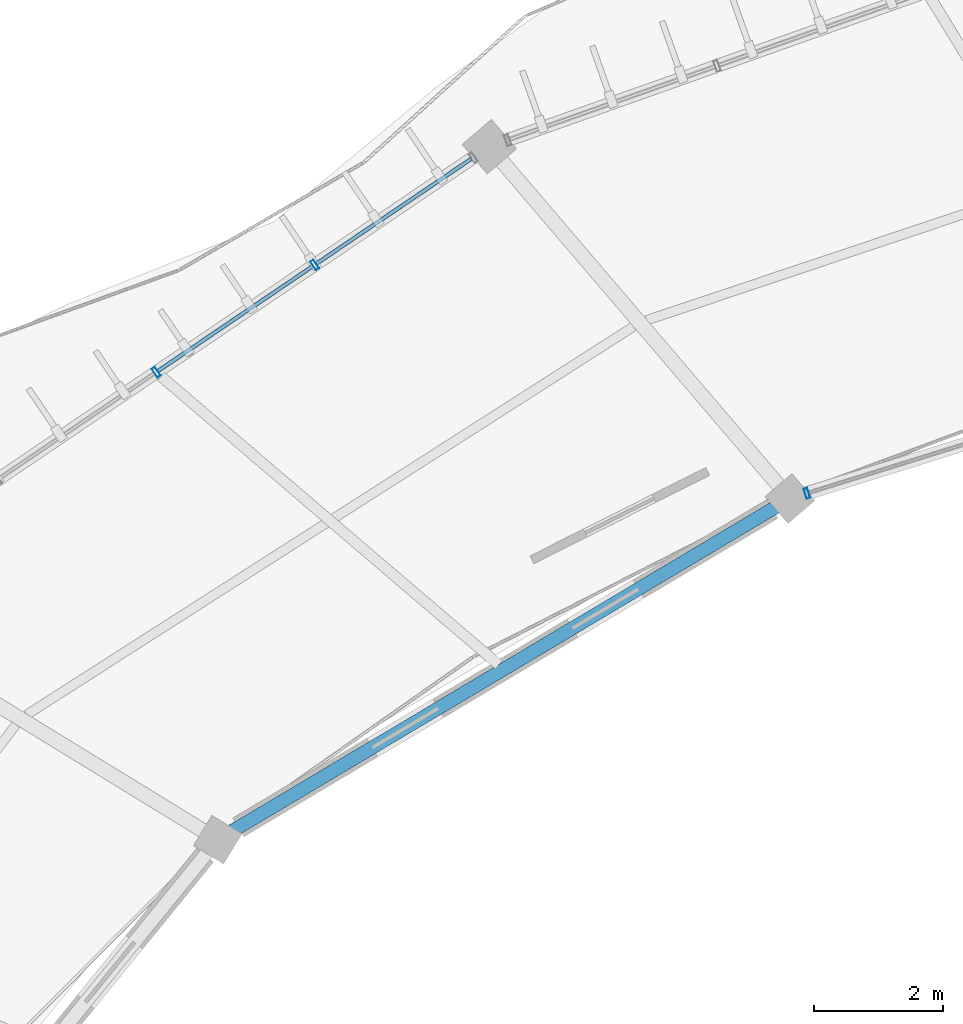
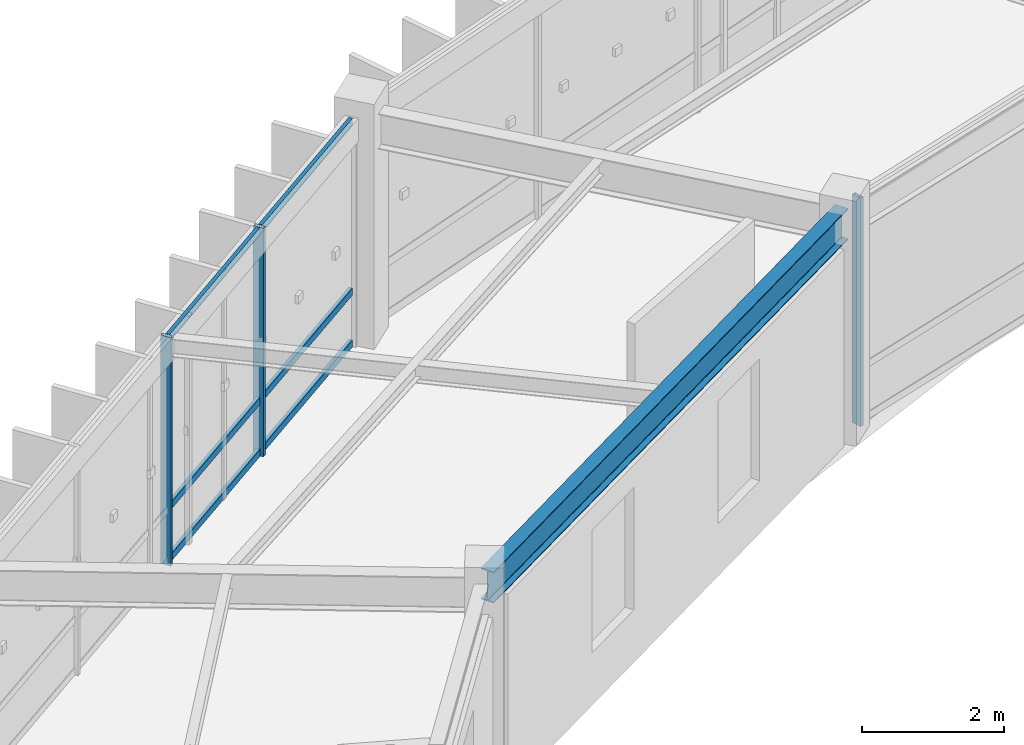
# One storey, part 23 of 83: 9 members, 1 beam, 2 elements without a shape of their own.
"""IFC4 building model written with IfcOpenShell, lengths in metres."""

import ifcopenshell
import ifcopenshell.guid

model = None  # the IFC model being written
_history = None  # IfcOwnerHistory: only IFC2X3 demands one
_inside = {}  # id of a spatial element -> (the spatial element, [elements in it])
_under = {}  # id of a project, library or spatial element -> (it, [spatial elements below it])
_declared = {}  # id of a project -> (the project, [libraries it declares])
_typed = {}  # id of a type object -> (the type object, [elements of that type])
_made_of = {}  # id of a material, layer set ... -> (it, [elements and type objects made of it])


def new_model(schema):
    """Start an empty IFC model of exactly this schema.

    Asked for "IFC4X3", IfcOpenShell would pick the latest addendum, in which some entities
    have other attributes; the version numbers below select the first issue.
    IFC2X3 requires an IfcOwnerHistory on every rooted entity: one is made here for all.
    """
    global model, _history
    if schema == "IFC4X3":
        model = ifcopenshell.file(schema_version=(4, 3, 0, 0))
    else:
        model = ifcopenshell.file(schema=schema)
    _inside.clear()
    _under.clear()
    _declared.clear()
    _typed.clear()
    _made_of.clear()
    _history = None
    if model.schema == "IFC2X3":
        org = make("IfcOrganization", Name="unknown")
        user = make(
            "IfcPersonAndOrganization",
            ThePerson=make("IfcPerson", FamilyName="unknown"),
            TheOrganization=org,
        )
        app = make(
            "IfcApplication",
            ApplicationDeveloper=org,
            Version="unknown",
            ApplicationFullName="unknown",
            ApplicationIdentifier="unknown",
        )
        _history = make(
            "IfcOwnerHistory",
            OwningUser=user,
            OwningApplication=app,
            ChangeAction="ADDED",
            CreationDate=0,
        )
    return model


def make(cls, **values):
    """One entity of the class cls with the attributes given. An attribute that is None is left unset."""
    return model.create_entity(
        cls, **{name: value for name, value in values.items() if value is not None}
    )


def rooted(cls, **values):
    """An entity with a GlobalId (a new one), such as an element, a storey or a relation."""
    return make(cls, GlobalId=ifcopenshell.guid.new(), OwnerHistory=_history, **values)


def si_unit(unit_type, name, prefix=None):
    """IfcSIUnit, for example si_unit("LENGTHUNIT", "METRE", prefix="MILLI")."""
    return make("IfcSIUnit", UnitType=unit_type, Prefix=prefix, Name=name)


def assignment(units):
    """IfcUnitAssignment: the units of a project."""
    return None if units is None else make("IfcUnitAssignment", Units=units)


def point(xyz):
    """IfcCartesianPoint."""
    return None if xyz is None else make("IfcCartesianPoint", Coordinates=xyz)


def direction(xyz):
    """IfcDirection."""
    return None if xyz is None else make("IfcDirection", DirectionRatios=xyz)


def frame(location, z_axis=None, x_axis=None):
    """IfcAxis2Placement3D, a coordinate frame: its origin and axes. An axis left out is left unset."""
    return make(
        "IfcAxis2Placement3D",
        Location=point(location),
        Axis=direction(z_axis),
        RefDirection=direction(x_axis),
    )


def frame_2d(location, x_axis=None):
    """IfcAxis2Placement2D, a coordinate frame in the plane: its origin and x axis."""
    return make(
        "IfcAxis2Placement2D", Location=point(location), RefDirection=direction(x_axis)
    )


def origin():
    """The frame at (0, 0, 0) with its axes left unset."""
    return frame((0.0, 0.0, 0.0))


def origin_2d():
    """The frame at (0, 0) in the plane with its x axis left unset."""
    return frame_2d((0.0, 0.0))


def place(relative_to, where):
    """IfcLocalPlacement: puts the frame where relative to a parent placement (None: the world)."""
    return make(
        "IfcLocalPlacement", PlacementRelTo=relative_to, RelativePlacement=where
    )


def context(
    kind, dimensions, precision=None, world=None, true_north=None, identifier=None
):
    """IfcGeometricRepresentationContext, for example the 3D "Model" context."""
    return make(
        "IfcGeometricRepresentationContext",
        ContextIdentifier=identifier,
        ContextType=kind,
        CoordinateSpaceDimension=dimensions,
        Precision=precision,
        WorldCoordinateSystem=world,
        TrueNorth=true_north,
    )


def subcontext(parent, identifier, kind, view, scale=None):
    """IfcGeometricRepresentationSubContext, for example "Body" below "Model"."""
    return make(
        "IfcGeometricRepresentationSubContext",
        ContextIdentifier=identifier,
        ContextType=kind,
        ParentContext=parent,
        TargetScale=scale,
        TargetView=view,
    )


def project(units=None, contexts=None):
    """IfcProject with its units and contexts."""
    return rooted(
        "IfcProject",
        Name="project",
        RepresentationContexts=contexts,
        UnitsInContext=assignment(units),
    )


def spatial(cls, under=None, at=None, **own):
    """A site, building, storey or space (cls), placed at a placement, below another one or the project."""
    s = rooted(cls, ObjectPlacement=at, **own)
    if under is not None:
        _under.setdefault(under.id(), (under, []))[1].append(s)
    return s


def profile(cls, at=None, kind="AREA", **sizes):
    """A parametric profile (cls). Its sizes go by their IFC names, for example OverallWidth=200.0."""
    return make(cls, ProfileType=kind, Position=at, **sizes)


def hollow_rectangle(**sizes):
    """IfcRectangleHollowProfileDef."""
    return profile("IfcRectangleHollowProfileDef", **sizes)


def i_section(**sizes):
    """IfcIShapeProfileDef."""
    return profile("IfcIShapeProfileDef", **sizes)


def extrude(swept, where, along, depth):
    """IfcExtrudedAreaSolid: the profile swept, set in the frame where, extruded along a direction by depth."""
    return make(
        "IfcExtrudedAreaSolid",
        SweptArea=swept,
        Position=where,
        ExtrudedDirection=direction(along),
        Depth=depth,
    )


def shape(context_of_items, identifier, shape_type, items):
    """IfcShapeRepresentation: the items that make up one representation, for example the "Body"."""
    return make(
        "IfcShapeRepresentation",
        ContextOfItems=context_of_items,
        RepresentationIdentifier=identifier,
        RepresentationType=shape_type,
        Items=items,
    )


def material(Name=None, Category=None):
    """IfcMaterial."""
    return make("IfcMaterial", Name=Name, Category=Category)


def material_profile(
    of_material, cross_section, Name=None, Category=None, Priority=None
):
    """IfcMaterialProfile: a cross section and its material."""
    return make(
        "IfcMaterialProfile",
        Name=Name,
        Material=of_material,
        Profile=cross_section,
        Priority=Priority,
        Category=Category,
    )


def profile_set(profiles, Name=None, composite=None):
    """IfcMaterialProfileSet."""
    return make(
        "IfcMaterialProfileSet",
        Name=Name,
        MaterialProfiles=profiles,
        CompositeProfile=composite,
    )


def made_of(thing, what):
    """Note that an element or type object is made of a material, layer set ...; save() writes the relation."""
    if what is not None:
        _made_of.setdefault(what.id(), (what, []))[1].append(thing)
    return thing


def type_object(cls, material=None, **own):
    """A type object (cls), such as IfcWallType, which elements share."""
    return made_of(rooted(cls, **own), material)


def element(
    cls,
    number,
    at=None,
    inside=None,
    cuts=None,
    type_object=None,
    material=None,
    context=None,
    identifier="Body",
    shape_type=None,
    held_by="IfcProductDefinitionShape",
    body=None,
    shapes=None,
    **own,
):
    """One element of the class cls, such as IfcWall. Its Tag is "e" and its number.

    at: its placement. inside: the storey or other place that contains it. cuts: it is an
    opening in that element (IfcRelVoidsElement). A single representation is given by context,
    identifier, shape_type and body (its items); several are given by shapes. held_by: the class
    of the entity that holds the representations. save() writes the other relations.
    """
    e = rooted(cls, Tag="e%d" % number, ObjectPlacement=at, **own)
    if body is not None:
        shapes = [shape(context, identifier, shape_type, body)]
    if shapes is not None:
        e.Representation = make(held_by, Representations=shapes)
    if inside is not None:
        _inside.setdefault(inside.id(), (inside, []))[1].append(e)
    if cuts is not None:
        rooted(
            "IfcRelVoidsElement", RelatingBuildingElement=cuts, RelatedOpeningElement=e
        )
    if type_object is not None:
        _typed.setdefault(type_object.id(), (type_object, []))[1].append(e)
    return made_of(e, material)


def aggregate(whole, parts):
    """IfcRelAggregates: a whole, such as a stair, and the parts it consists of."""
    return rooted("IfcRelAggregates", RelatingObject=whole, RelatedObjects=parts)


def save(model, path):
    """Write the relations noted so far, then the file.

    IfcRelAggregates (storeys below a building ...), IfcRelContainedInSpatialStructure (elements
    in a storey), IfcRelDefinesByType, IfcRelAssociatesMaterial and IfcRelDeclares: one each for
    every whole, place, type object, material and project.
    """
    for whole, parts in _under.values():
        aggregate(whole, parts)
    for where, things in _inside.values():
        rooted(
            "IfcRelContainedInSpatialStructure",
            RelatedElements=things,
            RelatingStructure=where,
        )
    for kind, things in _typed.values():
        rooted("IfcRelDefinesByType", RelatedObjects=things, RelatingType=kind)
    for what, things in _made_of.values():
        rooted("IfcRelAssociatesMaterial", RelatedObjects=things, RelatingMaterial=what)
    for by, libraries in _declared.values():
        rooted("IfcRelDeclares", RelatingContext=by, RelatedDefinitions=libraries)
    model.write(path)


model = new_model("IFC4")

# Units and contexts
model_context = context("Model", 3, precision=1e-05, world=origin(), true_north=direction((0.0, 1.0)))
body_context = subcontext(model_context, "Body", "Model", "MODEL_VIEW")
ifc_project = project(units=[si_unit("LENGTHUNIT", "METRE"), si_unit("AREAUNIT", "SQUARE_METRE"), si_unit("VOLUMEUNIT", "CUBIC_METRE"), si_unit("PLANEANGLEUNIT", "RADIAN"), si_unit("MASSUNIT", "GRAM", prefix="KILO"), si_unit("THERMODYNAMICTEMPERATUREUNIT", "KELVIN"), si_unit("POWERUNIT", "WATT")], contexts=[model_context])

# Site, building, storey
site_placement = place(None, origin())
site = spatial("IfcSite", under=ifc_project, at=site_placement, CompositionType="ELEMENT")
building_placement = place(site_placement, origin())
building = spatial("IfcBuilding", under=site, at=building_placement, Name="Darbajah Civic Hall", CompositionType="ELEMENT")
storey_placement = place(building_placement, frame((0.0, 0.0, 18.0)))
storey = spatial("IfcBuildingStorey", under=building, at=storey_placement, Name="L04", CompositionType="ELEMENT", Elevation=18.0)

# Curtain wall, member
ifc_material_1 = material(Name="Anodised Bronze Aluminium and Low-E Glazing", Category="aluminium")
curtain_wall_type_1 = type_object("IfcCurtainWallType", Name="Unitised Curtain Wall CW-67 11700x3900", PredefinedType="USERDEFINED", material=ifc_material_1)
curtain_wall_1_placement = place(storey_placement, origin())
curtain_wall_1 = element("IfcCurtainWall", 1, at=curtain_wall_1_placement, inside=storey, type_object=curtain_wall_type_1, Name="L04 unitised curtain wall CW-V1I-L04-06", ObjectType="UNITISED CURTAIN WALL", PredefinedType="USERDEFINED")
ifc_material_2 = material(Name="Anodised Bronze Aluminium", Category="aluminium")
ifc_material_profile_1 = material_profile(ifc_material_2, hollow_rectangle(XDim=0.06005859375, YDim=0.159912109375, WallThickness=0.00341796875, at=origin_2d()), Name="ALU MULLION 60x160")
ifc_profile_set_1 = profile_set([ifc_material_profile_1], Name="Anodised Bronze Aluminium")
member_type_1 = type_object("IfcMemberType", Name="ALU MULLION 60x160", PredefinedType="MULLION", material=ifc_profile_set_1)
member_1_placement = place(storey_placement, frame((60.918701171875, 106.839599609375, 0.0), z_axis=(0.0, 0.0, 1.0), x_axis=(-0.954604963513, -0.297874744877, 0.0)))
member_1 = element("IfcMember", 2, at=member_1_placement, type_object=member_type_1, Name="CW-V1I-L04-06 mullion 4", PredefinedType="MULLION", context=body_context, shape_type="SweptSolid", body=[
    extrude(hollow_rectangle(XDim=0.06005859375, YDim=0.159912109375, WallThickness=0.00341796875, at=origin_2d()), origin(), (0.0, 0.0, 1.0), 3.919921875),
])
aggregate(curtain_wall_1, [member_1])

# Curtain wall, members
curtain_wall_type_2 = type_object("IfcCurtainWallType", Name="Unitised Curtain Wall CW-58 11900x3900", PredefinedType="USERDEFINED", material=ifc_material_1)
curtain_wall_2_placement = place(storey_placement, origin())
curtain_wall_2 = element("IfcCurtainWall", 3, at=curtain_wall_2_placement, inside=storey, type_object=curtain_wall_type_2, Name="L04 unitised curtain wall CW-V1O-L04-07", ObjectType="UNITISED CURTAIN WALL", PredefinedType="USERDEFINED")
member_2_placement = place(storey_placement, frame((53.262451171875, 110.392822265625, 0.0), z_axis=(0.0, 0.0, 1.0), x_axis=(-0.827962472047, -0.560783509816, 0.0)))
member_2 = element("IfcMember", 4, at=member_2_placement, type_object=member_type_1, Name="CW-V1O-L04-07 mullion 2", PredefinedType="MULLION", context=body_context, shape_type="SweptSolid", body=[
    extrude(hollow_rectangle(XDim=0.06005859375, YDim=0.159912109375, WallThickness=0.00341796875, at=origin_2d()), origin(), (0.0, 0.0, 1.0), 3.919921875),
])
member_3_placement = place(storey_placement, frame((50.796875, 108.722900390625, 0.0), z_axis=(0.0, 0.0, 1.0), x_axis=(-0.827962472047, -0.560783509816, 0.0)))
member_3 = element("IfcMember", 5, at=member_3_placement, type_object=member_type_1, Name="CW-V1O-L04-07 mullion 3", PredefinedType="MULLION", context=body_context, shape_type="SweptSolid", body=[
    extrude(hollow_rectangle(XDim=0.06005859375, YDim=0.159912109375, WallThickness=0.00341796875, at=origin_2d()), origin(), (0.0, 0.0, 1.0), 3.919921875),
])
ifc_material_profile_2 = material_profile(ifc_material_2, hollow_rectangle(XDim=0.06005859375, YDim=0.1201171875, WallThickness=0.003173828125, at=origin_2d()), Name="ALU TRANSOM 60x120")
ifc_profile_set_2 = profile_set([ifc_material_profile_2], Name="Anodised Bronze Aluminium")
member_type_2 = type_object("IfcMemberType", Name="ALU TRANSOM 60x120", PredefinedType="USERDEFINED", material=ifc_profile_set_2)
member_4_placement = place(storey_placement, frame((55.69921875, 112.043212890625, 0.06005859375), z_axis=(-0.827946354512, -0.560807305632, 0.0), x_axis=(0.560807305632, -0.827946354512, 0.0)))
member_4 = element("IfcMember", 6, at=member_4_placement, type_object=member_type_2, Name="CW-V1O-L04-07 transom 1.1", ObjectType="TRANSOM", PredefinedType="USERDEFINED", context=body_context, shape_type="SweptSolid", body=[
    extrude(hollow_rectangle(XDim=0.06005859375, YDim=0.1201171875, WallThickness=0.003173828125, at=origin_2d()), origin(), (0.0, 0.0, 1.0), 2.907958984375),
])
member_5_placement = place(storey_placement, frame((55.69921875, 112.043212890625, 0.949951171875), z_axis=(-0.827946354512, -0.560807305632, 0.0), x_axis=(0.560807305632, -0.827946354512, 0.0)))
member_5 = element("IfcMember", 7, at=member_5_placement, type_object=member_type_2, Name="CW-V1O-L04-07 transom 1.2", ObjectType="TRANSOM", PredefinedType="USERDEFINED", context=body_context, shape_type="SweptSolid", body=[
    extrude(hollow_rectangle(XDim=0.06005859375, YDim=0.1201171875, WallThickness=0.003173828125, at=origin_2d()), origin(), (0.0, 0.0, 1.0), 2.907958984375),
])
member_6_placement = place(storey_placement, frame((55.69921875, 112.043212890625, 3.860107421875), z_axis=(-0.827946354512, -0.560807305632, 0.0), x_axis=(0.560807305632, -0.827946354512, 0.0)))
member_6 = element("IfcMember", 8, at=member_6_placement, type_object=member_type_2, Name="CW-V1O-L04-07 transom 1.3", ObjectType="TRANSOM", PredefinedType="USERDEFINED", context=body_context, shape_type="SweptSolid", body=[
    extrude(hollow_rectangle(XDim=0.06005859375, YDim=0.1201171875, WallThickness=0.003173828125, at=origin_2d()), origin(), (0.0, 0.0, 1.0), 2.907958984375),
])
member_7_placement = place(storey_placement, frame((53.2333984375, 110.373046875, 0.06005859375), z_axis=(-0.827985335355, -0.560749752062, 0.0), x_axis=(0.560749752062, -0.827985335355, 0.0)))
member_7 = element("IfcMember", 9, at=member_7_placement, type_object=member_type_2, Name="CW-V1O-L04-07 transom 2.1", ObjectType="TRANSOM", PredefinedType="USERDEFINED", context=body_context, shape_type="SweptSolid", body=[
    extrude(hollow_rectangle(XDim=0.06005859375, YDim=0.1201171875, WallThickness=0.003173828125, at=origin_2d()), origin(), (0.0, 0.0, 1.0), 2.907958984375),
])
member_8_placement = place(storey_placement, frame((53.2333984375, 110.373046875, 0.949951171875), z_axis=(-0.827985335355, -0.560749752062, 0.0), x_axis=(0.560749752062, -0.827985335355, 0.0)))
member_8 = element("IfcMember", 10, at=member_8_placement, type_object=member_type_2, Name="CW-V1O-L04-07 transom 2.2", ObjectType="TRANSOM", PredefinedType="USERDEFINED", context=body_context, shape_type="SweptSolid", body=[
    extrude(hollow_rectangle(XDim=0.06005859375, YDim=0.1201171875, WallThickness=0.003173828125, at=origin_2d()), origin(), (0.0, 0.0, 1.0), 2.907958984375),
])
member_9_placement = place(storey_placement, frame((53.2333984375, 110.373046875, 3.860107421875), z_axis=(-0.827985335355, -0.560749752062, 0.0), x_axis=(0.560749752062, -0.827985335355, 0.0)))
member_9 = element("IfcMember", 11, at=member_9_placement, type_object=member_type_2, Name="CW-V1O-L04-07 transom 2.3", ObjectType="TRANSOM", PredefinedType="USERDEFINED", context=body_context, shape_type="SweptSolid", body=[
    extrude(hollow_rectangle(XDim=0.06005859375, YDim=0.1201171875, WallThickness=0.003173828125, at=origin_2d()), origin(), (0.0, 0.0, 1.0), 2.907958984375),
])
aggregate(curtain_wall_2, [member_2, member_3, member_4, member_5, member_6, member_7, member_8, member_9])

# Beam
ifc_material_3 = material(Name="Steel S355JR", Category="steel")
ifc_material_profile_3 = material_profile(ifc_material_3, i_section(OverallWidth=0.209228515625, OverallDepth=0.533203125, WebThickness=0.010009765625, FlangeThickness=0.015625, FilletRadius=0.0126953125, at=origin_2d()), Name="UB 533x210x92")
ifc_profile_set_3 = profile_set([ifc_material_profile_3], Name="Steel S355JR")
beam_type = type_object("IfcBeamType", Name="UB 533x210x92", PredefinedType="BEAM", material=ifc_profile_set_3)
beam_placement = place(storey_placement, frame((60.58544921875, 106.716064453125, 3.653564453125), z_axis=(-0.858963370671, -0.512037037572, 0.0), x_axis=(0.512037037572, -0.858963370671, 0.0)))
element("IfcBeam", 12, at=beam_placement, inside=storey, type_object=beam_type, Name="L04 beam SB-533", PredefinedType="BEAM", context=body_context, shape_type="SweptSolid", body=[
    extrude(i_section(OverallWidth=0.209228515625, OverallDepth=0.533203125, WebThickness=0.010009765625, FlangeThickness=0.015625, FilletRadius=0.0126953125, at=origin_2d()), origin(), (0.0, 0.0, 1.0), 10.201171875),
])

save(model, "model.ifc")
